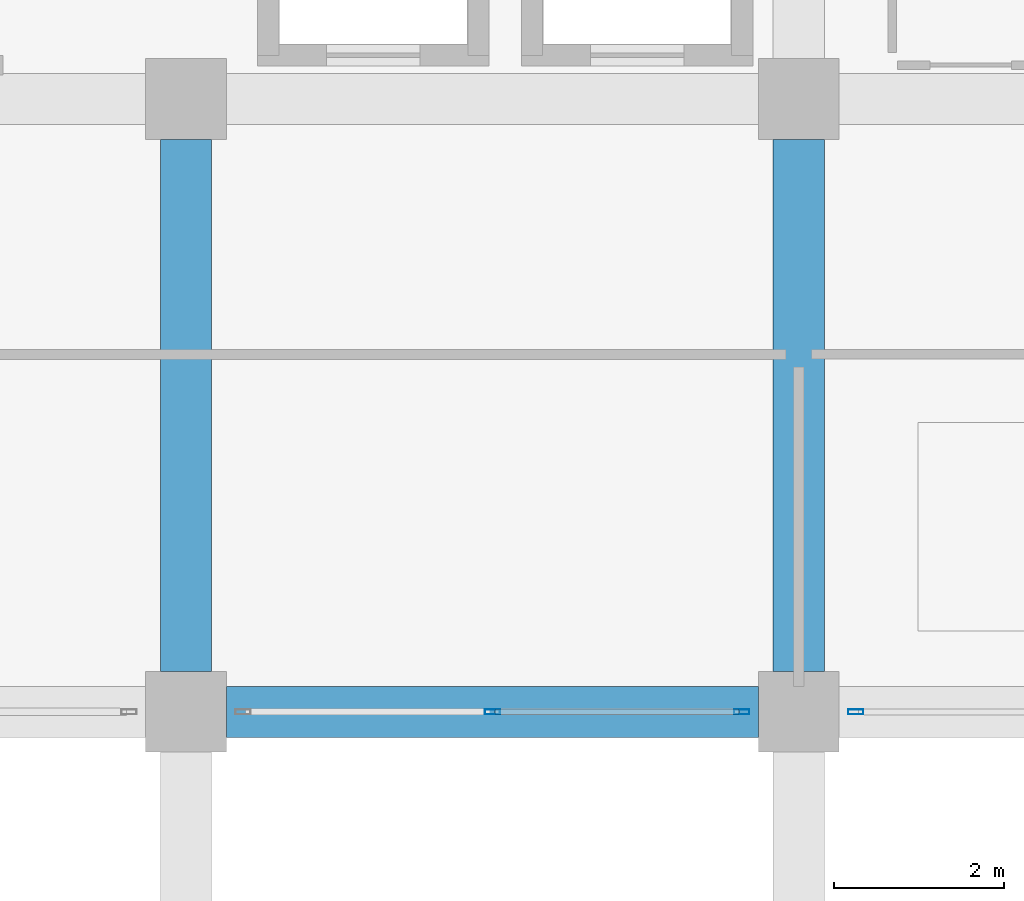
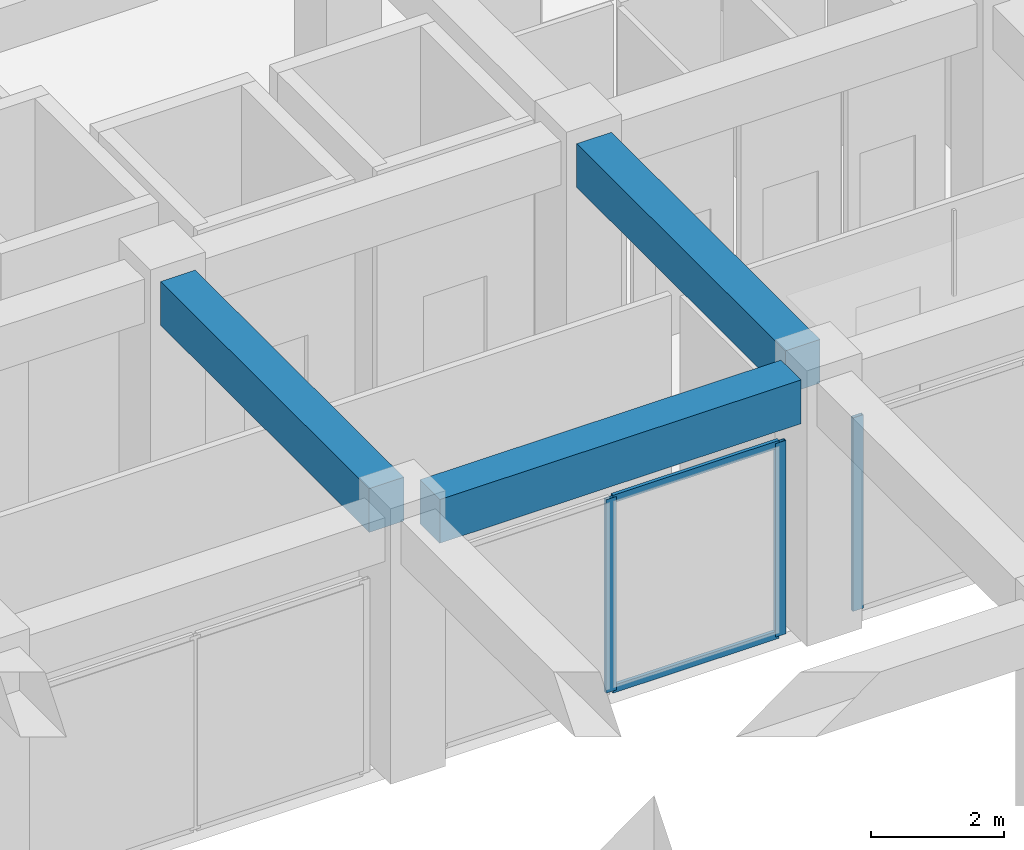
# One storey, part 11 of 54: 5 members, 3 beams, 2 elements without a shape of their own.
"""IFC4 building model written with IfcOpenShell, lengths in metres."""

import ifcopenshell
import ifcopenshell.guid

model = None  # the IFC model being written
_history = None  # IfcOwnerHistory: only IFC2X3 demands one
_inside = {}  # id of a spatial element -> (the spatial element, [elements in it])
_under = {}  # id of a project, library or spatial element -> (it, [spatial elements below it])
_declared = {}  # id of a project -> (the project, [libraries it declares])
_typed = {}  # id of a type object -> (the type object, [elements of that type])
_made_of = {}  # id of a material, layer set ... -> (it, [elements and type objects made of it])


def new_model(schema):
    """Start an empty IFC model of exactly this schema.

    Asked for "IFC4X3", IfcOpenShell would pick the latest addendum, in which some entities
    have other attributes; the version numbers below select the first issue.
    IFC2X3 requires an IfcOwnerHistory on every rooted entity: one is made here for all.
    """
    global model, _history
    if schema == "IFC4X3":
        model = ifcopenshell.file(schema_version=(4, 3, 0, 0))
    else:
        model = ifcopenshell.file(schema=schema)
    _inside.clear()
    _under.clear()
    _declared.clear()
    _typed.clear()
    _made_of.clear()
    _history = None
    if model.schema == "IFC2X3":
        org = make("IfcOrganization", Name="unknown")
        user = make(
            "IfcPersonAndOrganization",
            ThePerson=make("IfcPerson", FamilyName="unknown"),
            TheOrganization=org,
        )
        app = make(
            "IfcApplication",
            ApplicationDeveloper=org,
            Version="unknown",
            ApplicationFullName="unknown",
            ApplicationIdentifier="unknown",
        )
        _history = make(
            "IfcOwnerHistory",
            OwningUser=user,
            OwningApplication=app,
            ChangeAction="ADDED",
            CreationDate=0,
        )
    return model


def make(cls, **values):
    """One entity of the class cls with the attributes given. An attribute that is None is left unset."""
    return model.create_entity(
        cls, **{name: value for name, value in values.items() if value is not None}
    )


def rooted(cls, **values):
    """An entity with a GlobalId (a new one), such as an element, a storey or a relation."""
    return make(cls, GlobalId=ifcopenshell.guid.new(), OwnerHistory=_history, **values)


def si_unit(unit_type, name, prefix=None):
    """IfcSIUnit, for example si_unit("LENGTHUNIT", "METRE", prefix="MILLI")."""
    return make("IfcSIUnit", UnitType=unit_type, Prefix=prefix, Name=name)


def assignment(units):
    """IfcUnitAssignment: the units of a project."""
    return None if units is None else make("IfcUnitAssignment", Units=units)


def point(xyz):
    """IfcCartesianPoint."""
    return None if xyz is None else make("IfcCartesianPoint", Coordinates=xyz)


def direction(xyz):
    """IfcDirection."""
    return None if xyz is None else make("IfcDirection", DirectionRatios=xyz)


def frame(location, z_axis=None, x_axis=None):
    """IfcAxis2Placement3D, a coordinate frame: its origin and axes. An axis left out is left unset."""
    return make(
        "IfcAxis2Placement3D",
        Location=point(location),
        Axis=direction(z_axis),
        RefDirection=direction(x_axis),
    )


def frame_2d(location, x_axis=None):
    """IfcAxis2Placement2D, a coordinate frame in the plane: its origin and x axis."""
    return make(
        "IfcAxis2Placement2D", Location=point(location), RefDirection=direction(x_axis)
    )


def origin():
    """The frame at (0, 0, 0) with its axes left unset."""
    return frame((0.0, 0.0, 0.0))


def origin_2d():
    """The frame at (0, 0) in the plane with its x axis left unset."""
    return frame_2d((0.0, 0.0))


def place(relative_to, where):
    """IfcLocalPlacement: puts the frame where relative to a parent placement (None: the world)."""
    return make(
        "IfcLocalPlacement", PlacementRelTo=relative_to, RelativePlacement=where
    )


def context(
    kind, dimensions, precision=None, world=None, true_north=None, identifier=None
):
    """IfcGeometricRepresentationContext, for example the 3D "Model" context."""
    return make(
        "IfcGeometricRepresentationContext",
        ContextIdentifier=identifier,
        ContextType=kind,
        CoordinateSpaceDimension=dimensions,
        Precision=precision,
        WorldCoordinateSystem=world,
        TrueNorth=true_north,
    )


def subcontext(parent, identifier, kind, view, scale=None):
    """IfcGeometricRepresentationSubContext, for example "Body" below "Model"."""
    return make(
        "IfcGeometricRepresentationSubContext",
        ContextIdentifier=identifier,
        ContextType=kind,
        ParentContext=parent,
        TargetScale=scale,
        TargetView=view,
    )


def project(units=None, contexts=None):
    """IfcProject with its units and contexts."""
    return rooted(
        "IfcProject",
        Name="project",
        RepresentationContexts=contexts,
        UnitsInContext=assignment(units),
    )


def spatial(cls, under=None, at=None, **own):
    """A site, building, storey or space (cls), placed at a placement, below another one or the project."""
    s = rooted(cls, ObjectPlacement=at, **own)
    if under is not None:
        _under.setdefault(under.id(), (under, []))[1].append(s)
    return s


def profile(cls, at=None, kind="AREA", **sizes):
    """A parametric profile (cls). Its sizes go by their IFC names, for example OverallWidth=200.0."""
    return make(cls, ProfileType=kind, Position=at, **sizes)


def rectangle(**sizes):
    """IfcRectangleProfileDef."""
    return profile("IfcRectangleProfileDef", **sizes)


def hollow_rectangle(**sizes):
    """IfcRectangleHollowProfileDef."""
    return profile("IfcRectangleHollowProfileDef", **sizes)


def extrude(swept, where, along, depth):
    """IfcExtrudedAreaSolid: the profile swept, set in the frame where, extruded along a direction by depth."""
    return make(
        "IfcExtrudedAreaSolid",
        SweptArea=swept,
        Position=where,
        ExtrudedDirection=direction(along),
        Depth=depth,
    )


def shape(context_of_items, identifier, shape_type, items):
    """IfcShapeRepresentation: the items that make up one representation, for example the "Body"."""
    return make(
        "IfcShapeRepresentation",
        ContextOfItems=context_of_items,
        RepresentationIdentifier=identifier,
        RepresentationType=shape_type,
        Items=items,
    )


def material(Name=None, Category=None):
    """IfcMaterial."""
    return make("IfcMaterial", Name=Name, Category=Category)


def material_profile(
    of_material, cross_section, Name=None, Category=None, Priority=None
):
    """IfcMaterialProfile: a cross section and its material."""
    return make(
        "IfcMaterialProfile",
        Name=Name,
        Material=of_material,
        Profile=cross_section,
        Priority=Priority,
        Category=Category,
    )


def profile_set(profiles, Name=None, composite=None):
    """IfcMaterialProfileSet."""
    return make(
        "IfcMaterialProfileSet",
        Name=Name,
        MaterialProfiles=profiles,
        CompositeProfile=composite,
    )


def made_of(thing, what):
    """Note that an element or type object is made of a material, layer set ...; save() writes the relation."""
    if what is not None:
        _made_of.setdefault(what.id(), (what, []))[1].append(thing)
    return thing


def type_object(cls, material=None, **own):
    """A type object (cls), such as IfcWallType, which elements share."""
    return made_of(rooted(cls, **own), material)


def element(
    cls,
    number,
    at=None,
    inside=None,
    cuts=None,
    type_object=None,
    material=None,
    context=None,
    identifier="Body",
    shape_type=None,
    held_by="IfcProductDefinitionShape",
    body=None,
    shapes=None,
    **own,
):
    """One element of the class cls, such as IfcWall. Its Tag is "e" and its number.

    at: its placement. inside: the storey or other place that contains it. cuts: it is an
    opening in that element (IfcRelVoidsElement). A single representation is given by context,
    identifier, shape_type and body (its items); several are given by shapes. held_by: the class
    of the entity that holds the representations. save() writes the other relations.
    """
    e = rooted(cls, Tag="e%d" % number, ObjectPlacement=at, **own)
    if body is not None:
        shapes = [shape(context, identifier, shape_type, body)]
    if shapes is not None:
        e.Representation = make(held_by, Representations=shapes)
    if inside is not None:
        _inside.setdefault(inside.id(), (inside, []))[1].append(e)
    if cuts is not None:
        rooted(
            "IfcRelVoidsElement", RelatingBuildingElement=cuts, RelatedOpeningElement=e
        )
    if type_object is not None:
        _typed.setdefault(type_object.id(), (type_object, []))[1].append(e)
    return made_of(e, material)


def aggregate(whole, parts):
    """IfcRelAggregates: a whole, such as a stair, and the parts it consists of."""
    return rooted("IfcRelAggregates", RelatingObject=whole, RelatedObjects=parts)


def save(model, path):
    """Write the relations noted so far, then the file.

    IfcRelAggregates (storeys below a building ...), IfcRelContainedInSpatialStructure (elements
    in a storey), IfcRelDefinesByType, IfcRelAssociatesMaterial and IfcRelDeclares: one each for
    every whole, place, type object, material and project.
    """
    for whole, parts in _under.values():
        aggregate(whole, parts)
    for where, things in _inside.values():
        rooted(
            "IfcRelContainedInSpatialStructure",
            RelatedElements=things,
            RelatingStructure=where,
        )
    for kind, things in _typed.values():
        rooted("IfcRelDefinesByType", RelatedObjects=things, RelatingType=kind)
    for what, things in _made_of.values():
        rooted("IfcRelAssociatesMaterial", RelatedObjects=things, RelatingMaterial=what)
    for by, libraries in _declared.values():
        rooted("IfcRelDeclares", RelatingContext=by, RelatedDefinitions=libraries)
    model.write(path)


model = new_model("IFC4")

# Units and contexts
model_context = context("Model", 3, precision=1e-05, world=origin(), true_north=direction((0.0, 1.0)))
body_context = subcontext(model_context, "Body", "Model", "MODEL_VIEW")
ifc_project = project(units=[si_unit("LENGTHUNIT", "METRE"), si_unit("AREAUNIT", "SQUARE_METRE"), si_unit("VOLUMEUNIT", "CUBIC_METRE"), si_unit("PLANEANGLEUNIT", "RADIAN"), si_unit("MASSUNIT", "GRAM", prefix="KILO")], contexts=[model_context])

# Site, building, storey
site_placement = place(None, origin())
site = spatial("IfcSite", under=ifc_project, at=site_placement, CompositionType="ELEMENT")
building_placement = place(site_placement, origin())
building = spatial("IfcBuilding", under=site, at=building_placement, Name="Kazehaya Institute of Natural Sciences", CompositionType="ELEMENT")
storey_placement = place(building_placement, frame((0.0, 0.0, 5.39990234375)))
storey = spatial("IfcBuildingStorey", under=building, at=storey_placement, Name="L01", CompositionType="ELEMENT", Elevation=5.39990234375)

# Beams
ifc_material_1 = material(Name="Concrete Fc36", Category="concrete")
ifc_material_profile_1 = material_profile(ifc_material_1, rectangle(XDim=0.60009765625, YDim=0.800048828125, at=origin_2d()), Name="RC-600x800")
ifc_profile_set_1 = profile_set([ifc_material_profile_1], Name="Concrete Fc36")
beam_type = type_object("IfcBeamType", Name="BM-G-600x800", PredefinedType="BEAM", material=ifc_profile_set_1)
for number, where, z_axis, x_axis, name in (
    (1, (76.675048828125, 14.0, 4.3701171875), (1.0, 0.0, 0.0), (0.0, 1.0, 0.0), "L01 primary X girder BMX-L01-762-140"),
    (2, (76.199951171875, 14.47509765625, 4.3701171875), (0.0, 1.0, 0.0), (-1.0, 0.0, 0.0), "L01 primary Y girder BMY-L01-762-140"),
    (3, (83.39990234375, 14.47509765625, 4.3701171875), (0.0, 1.0, 0.0), (-1.0, 0.0, 0.0), "L01 primary Y girder BMY-L01-834-140"),
):
    element("IfcBeam", number, at=place(storey_placement, frame(where, z_axis=z_axis, x_axis=x_axis)), inside=storey, type_object=beam_type, Name=name, PredefinedType="BEAM", context=body_context, shape_type="SweptSolid", body=[
        extrude(rectangle(XDim=0.60009765625, YDim=0.800048828125, at=origin_2d()), origin(), (0.0, 0.0, 1.0), 6.25),
    ])

# Curtain wall, member
ifc_material_2 = material(Name="Aluminium alloy A6063S-T5", Category="aluminium")
curtain_wall_type = type_object("IfcCurtainWallType", Name="CW-SYS-02", PredefinedType="NOTDEFINED", material=ifc_material_2)
curtain_wall_1_placement = place(storey_placement, origin())
curtain_wall_1 = element("IfcCurtainWall", 4, at=curtain_wall_1_placement, inside=storey, type_object=curtain_wall_type, Name="L01 unitised curtain wall CW-L01-043", PredefinedType="NOTDEFINED")
ifc_material_profile_2 = material_profile(ifc_material_2, hollow_rectangle(XDim=0.06005859375, YDim=0.179931640625, WallThickness=0.00390625, at=origin_2d()), Name="ALU-60x180x4")
ifc_profile_set_2 = profile_set([ifc_material_profile_2], Name="Aluminium alloy A6063S-T5")
member_type_1 = type_object("IfcMemberType", Name="CWM-180", PredefinedType="MULLION", material=ifc_profile_set_2)
member_1_placement = place(storey_placement, frame((84.070068359375, 14.0, 0.0), z_axis=(0.0, 0.0, 1.0), x_axis=(0.0, -1.0, 0.0)))
member_1 = element("IfcMember", 5, at=member_1_placement, type_object=member_type_1, Name="CW02 mullion 3", PredefinedType="MULLION", context=body_context, shape_type="SweptSolid", body=[
    extrude(hollow_rectangle(XDim=0.06005859375, YDim=0.179931640625, WallThickness=0.00390625, at=origin_2d()), origin(), (0.0, 0.0, 1.0), 3.5400390625),
])
aggregate(curtain_wall_1, [member_1])

# Curtain wall, members
curtain_wall_2_placement = place(storey_placement, origin())
curtain_wall_2 = element("IfcCurtainWall", 6, at=curtain_wall_2_placement, inside=storey, type_object=curtain_wall_type, Name="L01 unitised curtain wall CW-L01-044", PredefinedType="NOTDEFINED")
member_2_placement = place(storey_placement, frame((82.72998046875, 14.0, 0.0), z_axis=(0.0, 0.0, 1.0), x_axis=(0.0, -1.0, 0.0)))
member_2 = element("IfcMember", 7, at=member_2_placement, type_object=member_type_1, Name="CW02 mullion 1", PredefinedType="MULLION", context=body_context, shape_type="SweptSolid", body=[
    extrude(hollow_rectangle(XDim=0.06005859375, YDim=0.179931640625, WallThickness=0.00390625, at=origin_2d()), origin(), (0.0, 0.0, 1.0), 3.5400390625),
])
member_3_placement = place(storey_placement, frame((79.800048828125, 14.0, 0.0), z_axis=(0.0, 0.0, 1.0), x_axis=(0.0, -1.0, 0.0)))
member_3 = element("IfcMember", 8, at=member_3_placement, type_object=member_type_1, Name="CW02 mullion 2", PredefinedType="MULLION", context=body_context, shape_type="SweptSolid", body=[
    extrude(hollow_rectangle(XDim=0.06005859375, YDim=0.179931640625, WallThickness=0.00390625, at=origin_2d()), origin(), (0.0, 0.0, 1.0), 3.5400390625),
])
ifc_material_profile_3 = material_profile(ifc_material_2, hollow_rectangle(XDim=0.06005859375, YDim=0.139892578125, WallThickness=0.00341796875, at=origin_2d()), Name="ALU-60x140x3.5")
ifc_profile_set_3 = profile_set([ifc_material_profile_3], Name="Aluminium alloy A6063S-T5")
member_type_2 = type_object("IfcMemberType", Name="CWT-140", PredefinedType="USERDEFINED", material=ifc_profile_set_3)
member_4_placement = place(storey_placement, frame((82.699951171875, 14.0, 0.030029296875), z_axis=(-1.0, 0.0, 0.0), x_axis=(0.0, -1.0, 0.0)))
member_4 = element("IfcMember", 9, at=member_4_placement, type_object=member_type_2, Name="CW02 transom 1.1", ObjectType="TRANSOM", PredefinedType="USERDEFINED", context=body_context, shape_type="SweptSolid", body=[
    extrude(hollow_rectangle(XDim=0.06005859375, YDim=0.139892578125, WallThickness=0.00341796875, at=origin_2d()), origin(), (0.0, 0.0, 1.0), 2.869873046875),
])
member_5_placement = place(storey_placement, frame((82.699951171875, 14.0, 3.510009765625), z_axis=(-1.0, 0.0, 0.0), x_axis=(0.0, -1.0, 0.0)))
member_5 = element("IfcMember", 10, at=member_5_placement, type_object=member_type_2, Name="CW02 transom 1.2", ObjectType="TRANSOM", PredefinedType="USERDEFINED", context=body_context, shape_type="SweptSolid", body=[
    extrude(hollow_rectangle(XDim=0.06005859375, YDim=0.139892578125, WallThickness=0.00341796875, at=origin_2d()), origin(), (0.0, 0.0, 1.0), 2.869873046875),
])
aggregate(curtain_wall_2, [member_2, member_3, member_4, member_5])

save(model, "model.ifc")
